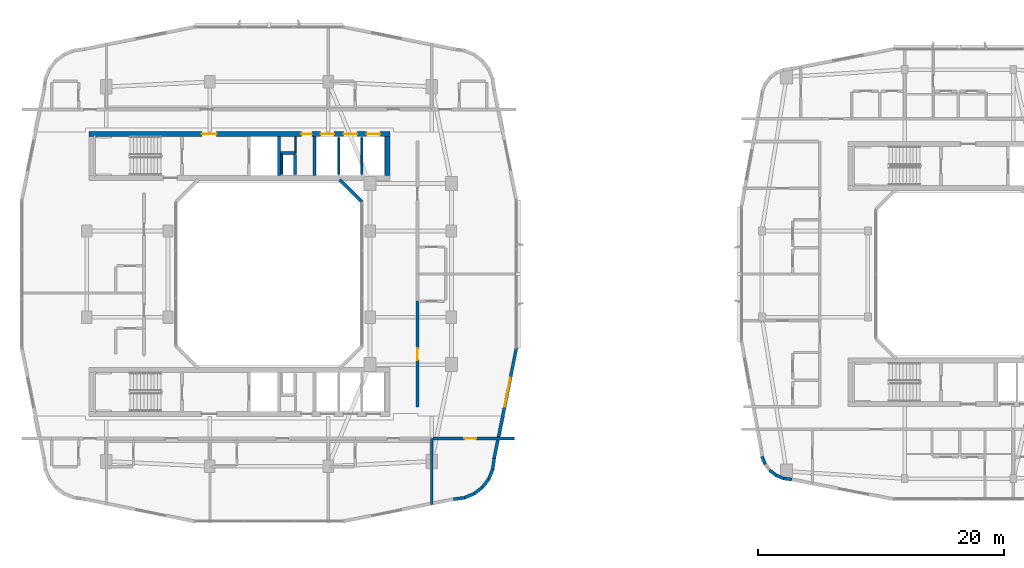
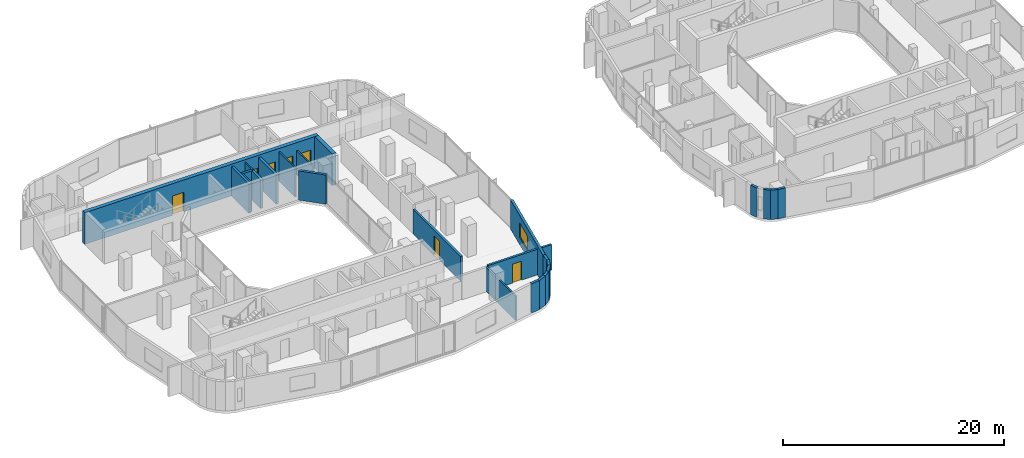
# One storey, part 14 of 26: 25 walls, 7 doors, 1 window, 8 openings.
"""IFC4 building model written with IfcOpenShell, lengths in metres."""

from ifc_helpers import new_model, si_unit, derived_unit, direction, frame, frame_2d, origin, place, context, subcontext, project, spatial, rectangle, extrude, material, layer, layer_set, type_object, element, fill, save


model = new_model("IFC4")

# Units and contexts
model_context = context("Model", 3, precision=1e-05, world=origin(), true_north=direction((0.0, 1.0)))
body_context = subcontext(model_context, "Body", "Model", "MODEL_VIEW")
ifc_project = project(units=[si_unit("LENGTHUNIT", "METRE"), si_unit("AREAUNIT", "SQUARE_METRE"), si_unit("VOLUMEUNIT", "CUBIC_METRE"), si_unit("PLANEANGLEUNIT", "RADIAN"), si_unit("MASSUNIT", "GRAM", prefix="KILO"), derived_unit("THERMALTRANSMITTANCEUNIT", [(si_unit("POWERUNIT", "WATT"), 1), (si_unit("LENGTHUNIT", "METRE"), -2), (si_unit("THERMODYNAMICTEMPERATUREUNIT", "KELVIN"), -1)])], contexts=[model_context])

# Site, building, storey
site_placement = place(None, origin())
site = spatial("IfcSite", under=ifc_project, at=site_placement, CompositionType="ELEMENT")
building_placement = place(site_placement, origin())
building = spatial("IfcBuilding", under=site, at=building_placement, Name="Kivonza Crest Hotel", CompositionType="ELEMENT")
storey_placement = place(building_placement, frame((0.0, 0.0, 127.5)))
storey = spatial("IfcBuildingStorey", under=building, at=storey_placement, Name="L34", CompositionType="ELEMENT", Elevation=127.5)

# Wall
ifc_material_1 = material(Name="High-density acoustic masonry inter-tenancy wall", Category="masonry")
ifc_layer_1 = layer(ifc_material_1, 0.179931640625)
ifc_layer_set_1 = layer_set([ifc_layer_1], Name="High-density acoustic masonry inter-tenancy wall")
wall_type_1 = type_object("IfcWallType", Name="WL-ACOU-180", PredefinedType="SOLIDWALL", material=ifc_layer_set_1)
wall_1_placement = place(storey_placement, frame((34.199951171875, 6.299072265625, 0.0), z_axis=(0.0, 0.0, 1.0), x_axis=(0.0, 1.0, 0.0)))
element("IfcWall", 1, at=wall_1_placement, inside=storey, type_object=wall_type_1, Name="L34 interior partition WA-L34-T1S-DIV4", PredefinedType="SOLIDWALL", context=body_context, shape_type="SweptSolid", body=[
    extrude(rectangle(XDim=5.350830078125, YDim=0.179931640625, at=frame_2d((2.67529296875, 0.0))), origin(), (0.0, 0.0, 1.0), 2.695068359375),
])

# Wall, opening, door
ifc_material_2 = material(Name="Autoclaved aerated concrete blockwork", Category="masonry")
ifc_layer_2 = layer(ifc_material_2, 0.219970703125)
ifc_layer_set_2 = layer_set([ifc_layer_2], Name="Autoclaved aerated concrete blockwork")
wall_type_2 = type_object("IfcWallType", Name="WL-ACOU-220", PredefinedType="SOLIDWALL", material=ifc_layer_set_2)
wall_2_placement = place(storey_placement, frame((34.300048828125, 11.64990234375, 0.0), z_axis=(0.0, 0.0, 1.0), x_axis=(1.0, 0.0, 0.0)))
wall_2 = element("IfcWall", 2, at=wall_2_placement, inside=storey, type_object=wall_type_2, Name="L34 interior partition WA-L34-BUS-MTG-N", PredefinedType="SOLIDWALL", context=body_context, shape_type="SweptSolid", body=[
    extrude(rectangle(XDim=6.639892578125, YDim=0.219970703125, at=frame_2d((3.31982421875, 0.0))), origin(), (0.0, 0.0, 1.0), 2.8349609375),
])
opening_1_placement = place(wall_2_placement, frame((2.550048828125, 0.0, 0.0)))
opening_1 = element("IfcOpeningElement", 3, at=opening_1_placement, cuts=wall_2, Name="Opening DF-60S", PredefinedType="OPENING", context=body_context, shape_type="SweptSolid", body=[
    extrude(rectangle(XDim=0.949951171875, YDim=2.10009765625, at=frame_2d((0.47509765625, 1.050048828125))), frame((0.0, 0.1201171875, 0.0), z_axis=(0.0, -1.0, 0.0), x_axis=(1.0, 0.0, 0.0)), (0.0, 0.0, 1.0), 0.239990234375),
])
ifc_material_3 = material(Name="Hardwood timber oak", Category="wood")
door_type_1 = type_object("IfcDoorType", Name="DR-FD60-950", OperationType="NOTDEFINED", PredefinedType="DOOR", material=ifc_material_3)
door_1_placement = place(opening_1_placement, frame((0.949951171875, 0.0, 0.0), z_axis=(0.0, 0.0, 1.0), x_axis=(-1.0, 0.0, 0.0)))
door_1 = element("IfcDoor", 4, at=door_1_placement, inside=storey, type_object=door_type_1, Name="L34 Floor Beverage Kitchen door", OperationType="SINGLE_SWING_RIGHT", OverallHeight=2.10009765625, OverallWidth=0.949951171875, PredefinedType="DOOR", context=body_context, shape_type="SweptSolid", body=[
    extrude(rectangle(XDim=0.949951171875, YDim=2.10009765625, at=frame_2d((0.47509765625, 1.050048828125))), frame((0.0, 0.02490234375, 0.0), z_axis=(0.0, -1.0, 0.0), x_axis=(1.0, 0.0, 0.0)), (0.0, 0.0, 1.0), 0.050048828125),
])
fill(opening_1, door_1)

wall_3_placement = place(storey_placement, frame((33.050048828125, 14.199951171875, 0.0), z_axis=(0.0, 0.0, 1.0), x_axis=(0.0, 1.0, 0.0)))
wall_3 = element("IfcWall", 5, at=wall_3_placement, inside=storey, type_object=wall_type_2, Name="L34 interior partition WA-L34-E10-MCORR", PredefinedType="SOLIDWALL", context=body_context, shape_type="SweptSolid", body=[
    extrude(rectangle(XDim=8.60009765625, YDim=0.219970703125, at=frame_2d((4.300048828125, 0.0))), origin(), (0.0, 0.0, 1.0), 2.695068359375),
])
opening_2_placement = place(wall_3_placement, frame((3.824951171875, 0.0, 0.0)))
opening_2 = element("IfcOpeningElement", 6, at=opening_2_placement, cuts=wall_3, Name="Opening DU-60", PredefinedType="OPENING", context=body_context, shape_type="SweptSolid", body=[
    extrude(rectangle(XDim=0.949951171875, YDim=2.10009765625, at=frame_2d((0.47509765625, 1.050048828125))), frame((0.0, 0.1201171875, 0.0), z_axis=(0.0, -1.0, 0.0), x_axis=(1.0, 0.0, 0.0)), (0.0, 0.0, 1.0), 0.239990234375),
])
door_type_2 = type_object("IfcDoorType", Name="DR-UNIT-950", OperationType="NOTDEFINED", PredefinedType="DOOR", material=ifc_material_3)
door_2_placement = place(opening_2_placement, frame((0.949951171875, 0.0, 0.0), z_axis=(0.0, 0.0, 1.0), x_axis=(-1.0, 0.0, 0.0)))
door_2 = element("IfcDoor", 7, at=door_2_placement, inside=storey, type_object=door_type_2, Name="L34 E10 guest unit entrance fire door", OperationType="SINGLE_SWING_RIGHT", OverallHeight=2.10009765625, OverallWidth=0.949951171875, PredefinedType="DOOR", context=body_context, shape_type="SweptSolid", body=[
    extrude(rectangle(XDim=0.949951171875, YDim=2.10009765625, at=frame_2d((0.47509765625, 1.050048828125))), frame((0.0, 0.02490234375, 0.0), z_axis=(0.0, -1.0, 0.0), x_axis=(1.0, 0.0, 0.0)), (0.0, 0.0, 1.0), 0.050048828125),
])
fill(opening_2, door_2)

# Wall, openings, doors
ifc_material_4 = material(Name="Concrete C50/60", Category="concrete")
ifc_layer_3 = layer(ifc_material_4, 0.39990234375)
ifc_layer_set_3 = layer_set([ifc_layer_3], Name="Concrete C50/60")
wall_type_3 = type_object("IfcWallType", Name="WL-CORE-400", PredefinedType="SHEAR", material=ifc_layer_set_3)
wall_4_placement = place(storey_placement, frame((6.39990234375, 36.360107421875, 0.0), z_axis=(0.0, 0.0, 1.0), x_axis=(1.0, 0.0, 0.0)))
wall_4 = element("IfcWall", 8, at=wall_4_placement, inside=storey, type_object=wall_type_3, Name="Core wall T1-N North L34", PredefinedType="SHEAR", context=body_context, shape_type="SweptSolid", body=[
    extrude(rectangle(XDim=24.400146484375, YDim=0.39990234375, at=frame_2d((12.2001953125, 0.0))), origin(), (0.0, 0.0, 1.0), 3.5),
])
opening_3_placement = place(wall_4_placement, frame((9.14990234375, 0.0, 0.0)))
opening_3 = element("IfcOpeningElement", 9, at=opening_3_placement, cuts=wall_4, Name="Opening DF-60", PredefinedType="OPENING", context=body_context, shape_type="SweptSolid", body=[
    extrude(rectangle(XDim=1.199951171875, YDim=2.14990234375, at=frame_2d((0.60009765625, 1.074951171875))), frame((0.0, 0.2099609375, 0.0), z_axis=(0.0, -1.0, 0.0), x_axis=(1.0, 0.0, 0.0)), (0.0, 0.0, 1.0), 0.419921875),
])
opening_4_placement = place(wall_4_placement, frame((17.219970703125, 0.0, 0.0)))
opening_4 = element("IfcOpeningElement", 10, at=opening_4_placement, cuts=wall_4, Name="Opening DF-60R", PredefinedType="OPENING", context=body_context, shape_type="SweptSolid", body=[
    extrude(rectangle(XDim=0.85009765625, YDim=2.10009765625, at=frame_2d((0.425048828125, 1.050048828125))), frame((0.0, 0.2099609375, 0.0), z_axis=(0.0, -1.0, 0.0), x_axis=(1.0, 0.0, 0.0)), (0.0, 0.0, 1.0), 0.419921875),
])
opening_5_placement = place(wall_4_placement, frame((18.782958984375, 0.0, 0.0)))
opening_5 = element("IfcOpeningElement", 11, at=opening_5_placement, cuts=wall_4, Name="Opening LD-120", PredefinedType="OPENING", context=body_context, shape_type="SweptSolid", body=[
    extrude(rectangle(XDim=1.10009765625, YDim=2.14990234375, at=frame_2d((0.550048828125, 1.074951171875))), frame((0.0, 0.2099609375, 0.0), z_axis=(0.0, -1.0, 0.0), x_axis=(1.0, 0.0, 0.0)), (0.0, 0.0, 1.0), 0.419921875),
])
opening_6_placement = place(wall_4_placement, frame((20.64990234375, 0.0, 0.0)))
opening_6 = element("IfcOpeningElement", 12, at=opening_6_placement, cuts=wall_4, Name="Opening LD-120", PredefinedType="OPENING", context=body_context, shape_type="SweptSolid", body=[
    extrude(rectangle(XDim=1.10009765625, YDim=2.14990234375, at=frame_2d((0.550048828125, 1.074951171875))), frame((0.0, 0.2099609375, 0.0), z_axis=(0.0, -1.0, 0.0), x_axis=(1.0, 0.0, 0.0)), (0.0, 0.0, 1.0), 0.419921875),
])
opening_7_placement = place(wall_4_placement, frame((22.51708984375, 0.0, 0.0)))
opening_7 = element("IfcOpeningElement", 13, at=opening_7_placement, cuts=wall_4, Name="Opening LD-120", PredefinedType="OPENING", context=body_context, shape_type="SweptSolid", body=[
    extrude(rectangle(XDim=1.10009765625, YDim=2.14990234375, at=frame_2d((0.550048828125, 1.074951171875))), frame((0.0, 0.2099609375, 0.0), z_axis=(0.0, -1.0, 0.0), x_axis=(1.0, 0.0, 0.0)), (0.0, 0.0, 1.0), 0.419921875),
])
door_type_3 = type_object("IfcDoorType", Name="DR-FD60-1200", OperationType="NOTDEFINED", PredefinedType="DOOR", material=ifc_material_3)
door_3_placement = place(opening_3_placement, origin())
door_3 = element("IfcDoor", 14, at=door_3_placement, inside=storey, type_object=door_type_3, Name="L34 T1-N firefighting lobby fire door", OperationType="SINGLE_SWING_RIGHT", OverallHeight=2.14990234375, OverallWidth=1.199951171875, PredefinedType="DOOR", context=body_context, shape_type="SweptSolid", body=[
    extrude(rectangle(XDim=1.199951171875, YDim=2.14990234375, at=frame_2d((0.60009765625, 1.074951171875))), frame((0.0, 0.02490234375, 0.0), z_axis=(0.0, -1.0, 0.0), x_axis=(1.0, 0.0, 0.0)), (0.0, 0.0, 1.0), 0.050048828125),
])
fill(opening_3, door_3)
door_type_4 = type_object("IfcDoorType", Name="DR-FD60-850", OperationType="NOTDEFINED", PredefinedType="DOOR", material=ifc_material_3)
door_4_placement = place(opening_4_placement, origin())
door_4 = element("IfcDoor", 15, at=door_4_placement, inside=storey, type_object=door_type_4, Name="L34 T1-N core room door", OperationType="SINGLE_SWING_RIGHT", OverallHeight=2.10009765625, OverallWidth=0.85009765625, PredefinedType="DOOR", context=body_context, shape_type="SweptSolid", body=[
    extrude(rectangle(XDim=0.85009765625, YDim=2.10009765625, at=frame_2d((0.425048828125, 1.050048828125))), frame((0.0, 0.02490234375, 0.0), z_axis=(0.0, -1.0, 0.0), x_axis=(1.0, 0.0, 0.0)), (0.0, 0.0, 1.0), 0.050048828125),
])
fill(opening_4, door_4)
ifc_material_5 = material(Name="Stainless steel", Category="steel")
door_type_5 = type_object("IfcDoorType", Name="DR-LD120-1100", OperationType="NOTDEFINED", PredefinedType="DOOR", material=ifc_material_5)
door_5_placement = place(opening_5_placement, origin())
door_5 = element("IfcDoor", 16, at=door_5_placement, inside=storey, type_object=door_type_5, Name="L34 PL-T1-L1 passenger lift sliding landing door", OperationType="DOUBLE_DOOR_SLIDING", OverallHeight=2.14990234375, OverallWidth=1.10009765625, PredefinedType="DOOR", context=body_context, shape_type="SweptSolid", body=[
    extrude(rectangle(XDim=1.10009765625, YDim=2.14990234375, at=frame_2d((0.550048828125, 1.074951171875))), frame((0.0, 0.02490234375, 0.0), z_axis=(0.0, -1.0, 0.0), x_axis=(1.0, 0.0, 0.0)), (0.0, 0.0, 1.0), 0.050048828125),
])
fill(opening_5, door_5)
door_6_placement = place(opening_6_placement, origin())
door_6 = element("IfcDoor", 17, at=door_6_placement, inside=storey, type_object=door_type_5, Name="L34 PL-T1-L2 passenger lift sliding landing door", OperationType="DOUBLE_DOOR_SLIDING", OverallHeight=2.14990234375, OverallWidth=1.10009765625, PredefinedType="DOOR", context=body_context, shape_type="SweptSolid", body=[
    extrude(rectangle(XDim=1.10009765625, YDim=2.14990234375, at=frame_2d((0.550048828125, 1.074951171875))), frame((0.0, 0.02490234375, 0.0), z_axis=(0.0, -1.0, 0.0), x_axis=(1.0, 0.0, 0.0)), (0.0, 0.0, 1.0), 0.050048828125),
])
fill(opening_6, door_6)
door_7_placement = place(opening_7_placement, origin())
door_7 = element("IfcDoor", 18, at=door_7_placement, inside=storey, type_object=door_type_5, Name="L34 PL-T1-L3 passenger lift sliding landing door", OperationType="DOUBLE_DOOR_SLIDING", OverallHeight=2.14990234375, OverallWidth=1.10009765625, PredefinedType="DOOR", context=body_context, shape_type="SweptSolid", body=[
    extrude(rectangle(XDim=1.10009765625, YDim=2.14990234375, at=frame_2d((0.550048828125, 1.074951171875))), frame((0.0, 0.02490234375, 0.0), z_axis=(0.0, -1.0, 0.0), x_axis=(1.0, 0.0, 0.0)), (0.0, 0.0, 1.0), 0.050048828125),
])
fill(opening_7, door_7)

# Walls
wall_5_placement = place(storey_placement, frame((30.60009765625, 33.0, 0.0), z_axis=(0.0, 0.0, 1.0), x_axis=(0.0, 1.0, 0.0)))
element("IfcWall", 19, at=wall_5_placement, inside=storey, type_object=wall_type_3, Name="Core wall T1-N East L34", PredefinedType="SHEAR", context=body_context, shape_type="SweptSolid", body=[
    extrude(rectangle(XDim=3.159912109375, YDim=0.39990234375, at=frame_2d((1.580078125, 0.0))), origin(), (0.0, 0.0, 1.0), 3.5),
])
ifc_material_6 = material(Name="Precast concrete C40/50", Category="concrete")
ifc_layer_4 = layer(ifc_material_6, 0.260009765625)
ifc_layer_set_4 = layer_set([ifc_layer_4], Name="Precast concrete C40/50")
wall_type_4 = type_object("IfcWallType", Name="WL-EXT-260", PredefinedType="STANDARD", material=ifc_layer_set_4)
wall_6_placement = place(storey_placement, frame((35.97509765625, 6.72802734375, 0.0), z_axis=(0.0, 0.0, 1.0), x_axis=(0.991388484223, 0.130953706898, 0.0)))
element("IfcWall", 20, at=wall_6_placement, inside=storey, type_object=wall_type_4, Name="L34 T1 exterior insulated wall 10", PredefinedType="STANDARD", context=body_context, shape_type="SweptSolid", body=[
    extrude(rectangle(XDim=0.885498046875, YDim=0.260009765625, at=frame_2d((0.44287109375, 0.0))), origin(), (0.0, 0.0, 1.0), 3.219970703125),
])
wall_7_placement = place(storey_placement, frame((36.806884765625, 6.825927734375, 0.0), z_axis=(0.0, 0.0, 1.0), x_axis=(0.923627776508, 0.383290660547, 0.0)))
element("IfcWall", 21, at=wall_7_placement, inside=storey, type_object=wall_type_4, Name="L34 T1 exterior insulated wall 11", PredefinedType="STANDARD", context=body_context, shape_type="SweptSolid", body=[
    extrude(rectangle(XDim=0.9033203125, YDim=0.260009765625, at=frame_2d((0.45166015625, 0.0))), origin(), (0.0, 0.0, 1.0), 3.219970703125),
])
wall_8_placement = place(storey_placement, frame((37.60107421875, 7.14404296875, 0.0), z_axis=(0.0, 0.0, 1.0), x_axis=(0.793458244748, 0.608624690463, 0.0)))
element("IfcWall", 22, at=wall_8_placement, inside=storey, type_object=wall_type_4, Name="L34 T1 exterior insulated wall 12", PredefinedType="STANDARD", context=body_context, shape_type="SweptSolid", body=[
    extrude(rectangle(XDim=0.902099609375, YDim=0.260009765625, at=frame_2d((0.451171875, 0.0))), origin(), (0.0, 0.0, 1.0), 3.219970703125),
])
wall_9_placement = place(storey_placement, frame((38.285888671875, 7.655029296875, 0.0), z_axis=(0.0, 0.0, 1.0), x_axis=(0.608494022858, 0.793558456666, 0.0)))
element("IfcWall", 23, at=wall_9_placement, inside=storey, type_object=wall_type_4, Name="L34 T1 exterior insulated wall 13", PredefinedType="STANDARD", context=body_context, shape_type="SweptSolid", body=[
    extrude(rectangle(XDim=0.90234375, YDim=0.260009765625, at=frame_2d((0.451171875, 0.0))), origin(), (0.0, 0.0, 1.0), 3.219970703125),
])
wall_10_placement = place(storey_placement, frame((38.81396484375, 8.326904296875, 0.0), z_axis=(0.0, 0.0, 1.0), x_axis=(0.383155708213, 0.923683767999, 0.0)))
element("IfcWall", 24, at=wall_10_placement, inside=storey, type_object=wall_type_4, Name="L34 T1 exterior insulated wall 14", PredefinedType="STANDARD", context=body_context, shape_type="SweptSolid", body=[
    extrude(rectangle(XDim=0.90283203125, YDim=0.260009765625, at=frame_2d((0.451416015625, 0.0))), origin(), (0.0, 0.0, 1.0), 3.219970703125),
])
wall_11_placement = place(storey_placement, frame((39.152099609375, 9.112060546875, 0.0), z_axis=(0.0, 0.0, 1.0), x_axis=(0.130200706103, 0.991487658083, 0.0)))
element("IfcWall", 25, at=wall_11_placement, inside=storey, type_object=wall_type_4, Name="L34 T1 exterior insulated wall 15", PredefinedType="STANDARD", context=body_context, shape_type="SweptSolid", body=[
    extrude(rectangle(XDim=0.920654296875, YDim=0.260009765625, at=frame_2d((0.46044921875, 0.0))), origin(), (0.0, 0.0, 1.0), 3.219970703125),
])

# Wall, opening, window
wall_12_placement = place(storey_placement, frame((39.27099609375, 10.01806640625, 0.0), z_axis=(0.0, 0.0, 1.0), x_axis=(0.197435082048, 0.980315963543, 0.0)))
wall_12 = element("IfcWall", 26, at=wall_12_placement, inside=storey, type_object=wall_type_4, Name="L34 T1 exterior insulated wall 16", PredefinedType="STANDARD", context=body_context, shape_type="SweptSolid", body=[
    extrude(rectangle(XDim=9.1826171875, YDim=0.260009765625, at=frame_2d((4.59130859375, 0.0))), origin(), (0.0, 0.0, 1.0), 3.219970703125),
])
opening_8_placement = place(wall_12_placement, frame((4.285888671875, 0.0, 0.800048828125)))
opening_8 = element("IfcOpeningElement", 27, at=opening_8_placement, cuts=wall_12, Name="Opening WN-05", PredefinedType="OPENING", context=body_context, shape_type="SweptSolid", body=[
    extrude(rectangle(XDim=2.39990234375, YDim=1.60009765625, at=frame_2d((1.199951171875, 0.800048828125))), frame((0.0, 0.14013671875, 0.0), z_axis=(0.0, -1.0, 0.0), x_axis=(1.0, 0.0, 0.0)), (0.0, 0.0, 1.0), 0.280029296875),
])
ifc_material_7 = material(Name="Thermally broken bronze aluminium and low-E double glazing", Category="aluminium")
window_type = type_object("IfcWindowType", Name="WN-240x160", PartitioningType="TRIPLE_PANEL_VERTICAL", PredefinedType="WINDOW", material=ifc_material_7)
window_placement = place(opening_8_placement, origin())
window = element("IfcWindow", 28, at=window_placement, inside=storey, type_object=window_type, Name="L34 T1 facade window 16", OverallHeight=1.60009765625, OverallWidth=2.39990234375, PartitioningType="SINGLE_PANEL", PredefinedType="WINDOW", context=body_context, shape_type="SweptSolid", body=[
    extrude(rectangle(XDim=2.39990234375, YDim=1.60009765625, at=frame_2d((1.199951171875, 0.800048828125))), frame((0.0, 0.030029296875, 0.0), z_axis=(0.0, -1.0, 0.0), x_axis=(1.0, 0.0, 0.0)), (0.0, 0.0, 1.0), 0.06005859375),
])
fill(opening_8, window)

# Walls
wall_13_placement = place(storey_placement, frame((28.555908203125, 30.827880859375, 0.0), z_axis=(0.0, 0.0, 1.0), x_axis=(-0.707059717605, 0.707153841636, 0.0)))
element("IfcWall", 29, at=wall_13_placement, inside=storey, type_object=wall_type_4, Name="L34 T1 light-well exterior wall 4", PredefinedType="STANDARD", context=body_context, shape_type="SweptSolid", body=[
    extrude(rectangle(XDim=2.59375, YDim=0.260009765625, at=frame_2d((1.296875, 0.0))), origin(), (0.0, 0.0, 1.0), 3.219970703125),
])
wall_14_placement = place(storey_placement, frame((60.9990234375, 10.199951171875, 0.0), z_axis=(0.0, 0.0, 1.0), x_axis=(0.381988976935, -0.924166879681, 0.0)))
element("IfcWall", 30, at=wall_14_placement, inside=storey, type_object=wall_type_4, Name="L34 T2 exterior insulated wall 2", PredefinedType="STANDARD", context=body_context, shape_type="SweptSolid", body=[
    extrude(rectangle(XDim=0.693359375, YDim=0.260009765625, at=frame_2d((0.3466796875, 0.0))), origin(), (0.0, 0.0, 1.0), 3.25),
])
wall_15_placement = place(storey_placement, frame((61.62109375, 9.080078125, 0.0), z_axis=(0.0, 0.0, 1.0), x_axis=(0.792506234191, -0.609863811657, 0.0)))
element("IfcWall", 31, at=wall_15_placement, inside=storey, type_object=wall_type_4, Name="L34 T2 exterior insulated wall 4", PredefinedType="STANDARD", context=body_context, shape_type="SweptSolid", body=[
    extrude(rectangle(XDim=0.69384765625, YDim=0.260009765625, at=frame_2d((0.346923828125, 0.0))), origin(), (0.0, 0.0, 1.0), 3.25),
])
wall_16_placement = place(storey_placement, frame((62.126953125, 8.677978515625, 0.0), z_axis=(0.0, 0.0, 1.0), x_axis=(0.92421822618, -0.381864727877, 0.0)))
element("IfcWall", 32, at=wall_16_placement, inside=storey, type_object=wall_type_4, Name="L34 T2 exterior insulated wall 5", PredefinedType="STANDARD", context=body_context, shape_type="SweptSolid", body=[
    extrude(rectangle(XDim=0.693603515625, YDim=0.260009765625, at=frame_2d((0.3466796875, 0.0))), origin(), (0.0, 0.0, 1.0), 3.25),
])
wall_17_placement = place(storey_placement, frame((62.718994140625, 8.4208984375, 0.0), z_axis=(0.0, 0.0, 1.0), x_axis=(0.991433279471, -0.130614135366, 0.0)))
element("IfcWall", 33, at=wall_17_placement, inside=storey, type_object=wall_type_4, Name="L34 T2 exterior insulated wall 6", PredefinedType="STANDARD", context=body_context, shape_type="SweptSolid", body=[
    extrude(rectangle(XDim=0.712158203125, YDim=0.260009765625, at=frame_2d((0.35595703125, 0.0))), origin(), (0.0, 0.0, 1.0), 3.25),
])
ifc_material_8 = material(Name="Concrete blockwork fire-compartment wall", Category="masonry")
ifc_layer_5 = layer(ifc_material_8, 0.25)
ifc_layer_set_5 = layer_set([ifc_layer_5], Name="Concrete blockwork fire-compartment wall")
wall_type_5 = type_object("IfcWallType", Name="WL-FIRE-250", PredefinedType="SOLIDWALL", material=ifc_layer_set_5)
wall_18_placement = place(storey_placement, frame((23.10009765625, 33.10009765625, 0.0), z_axis=(0.0, 0.0, 1.0), x_axis=(0.0, 1.0, 0.0)))
element("IfcWall", 34, at=wall_18_placement, inside=storey, type_object=wall_type_5, Name="L34 interior partition WA-L34-T1-N-MEPR-E", PredefinedType="SOLIDWALL", context=body_context, shape_type="SweptSolid", body=[
    extrude(rectangle(XDim=1.619873046875, YDim=0.25, at=frame_2d((0.81005859375, 0.0))), origin(), (0.0, 0.0, 1.0), 3.219970703125),
])
wall_19_placement = place(storey_placement, frame((21.949951171875, 34.820068359375, 0.0), z_axis=(0.0, 0.0, 1.0), x_axis=(1.0, 0.0, 0.0)))
element("IfcWall", 35, at=wall_19_placement, inside=storey, type_object=wall_type_5, Name="L34 interior partition WA-L34-T1-N-MEPR-H", PredefinedType="SOLIDWALL", context=body_context, shape_type="SweptSolid", body=[
    extrude(rectangle(XDim=1.150146484375, YDim=0.25, at=frame_2d((0.5751953125, 0.0))), origin(), (0.0, 0.0, 1.0), 3.219970703125),
])
ifc_material_9 = material(Name="Metal-stud gypsum board partition", Category="gypsum")
ifc_layer_6 = layer(ifc_material_9, 0.125)
ifc_layer_set_6 = layer_set([ifc_layer_6], Name="Metal-stud gypsum board partition")
wall_type_6 = type_object("IfcWallType", Name="WL-PART-125", PredefinedType="PARTITIONING", material=ifc_layer_set_6)
wall_20_placement = place(storey_placement, frame((23.159912109375, 34.820068359375, 0.0), z_axis=(0.0, 0.0, 1.0), x_axis=(0.0, 1.0, 0.0)))
element("IfcWall", 36, at=wall_20_placement, inside=storey, type_object=wall_type_6, Name="L34 interior partition WP-L34-T1-N-SV1V", PredefinedType="PARTITIONING", context=body_context, shape_type="SweptSolid", body=[
    extrude(rectangle(XDim=1.33984375, YDim=0.125, at=frame_2d((0.669921875, 0.0))), origin(), (0.0, 0.0, 1.0), 3.219970703125),
])
ifc_material_10 = material(Name="Twin-stud acoustic gypsum board partition", Category="gypsum")
ifc_layer_7 = layer(ifc_material_10, 0.14990234375)
ifc_layer_set_7 = layer_set([ifc_layer_7], Name="Twin-stud acoustic gypsum board partition")
wall_type_7 = type_object("IfcWallType", Name="WL-PART-150", PredefinedType="PARTITIONING", material=ifc_layer_set_7)
wall_21_placement = place(storey_placement, frame((22.030029296875, 33.10009765625, 0.0), z_axis=(0.0, 0.0, 1.0), x_axis=(0.0, 1.0, 0.0)))
element("IfcWall", 37, at=wall_21_placement, inside=storey, type_object=wall_type_7, Name="L34 interior partition WA-L34-T1-N-MEPR-W", PredefinedType="PARTITIONING", context=body_context, shape_type="SweptSolid", body=[
    extrude(rectangle(XDim=1.619873046875, YDim=0.14990234375, at=frame_2d((0.81005859375, 0.0))), origin(), (0.0, 0.0, 1.0), 3.219970703125),
])
wall_22_placement = place(storey_placement, frame((26.6669921875, 33.10009765625, 0.0), z_axis=(0.0, 0.0, 1.0), x_axis=(0.0, 1.0, 0.0)))
element("IfcWall", 38, at=wall_22_placement, inside=storey, type_object=wall_type_7, Name="L34 interior partition WP-L34-T1-N-BSH-1", PredefinedType="PARTITIONING", context=body_context, shape_type="SweptSolid", body=[
    extrude(rectangle(XDim=2.9599609375, YDim=0.14990234375, at=frame_2d((1.47998046875, 0.0))), origin(), (0.0, 0.0, 1.0), 3.219970703125),
])
wall_23_placement = place(storey_placement, frame((28.532958984375, 33.10009765625, 0.0), z_axis=(0.0, 0.0, 1.0), x_axis=(0.0, 1.0, 0.0)))
element("IfcWall", 39, at=wall_23_placement, inside=storey, type_object=wall_type_7, Name="L34 interior partition WP-L34-T1-N-BSH-2", PredefinedType="PARTITIONING", context=body_context, shape_type="SweptSolid", body=[
    extrude(rectangle(XDim=2.9599609375, YDim=0.14990234375, at=frame_2d((1.47998046875, 0.0))), origin(), (0.0, 0.0, 1.0), 2.695068359375),
])
ifc_layer_8 = layer(ifc_material_4, 0.25)
ifc_layer_set_8 = layer_set([ifc_layer_8], Name="Concrete C50/60")
wall_type_8 = type_object("IfcWallType", Name="WL-SHAFT-250", PredefinedType="STANDARD", material=ifc_layer_set_8)
for number, where, z_axis, x_axis, name in (
    (40, (21.824951171875, 33.0, 0.0), (0.0, 0.0, 1.0), (0.0, 1.0, 0.0), "Core shaft wall T1-N FFL-E L34"),
    (41, (24.675048828125, 33.0, 0.0), (0.0, 0.0, 1.0), (0.0, 1.0, 0.0), "Core shaft wall T1-N BANK-W L34"),
):
    element("IfcWall", number, at=place(storey_placement, frame(where, z_axis=z_axis, x_axis=x_axis)), inside=storey, type_object=wall_type_8, Name=name, PredefinedType="STANDARD", context=body_context, shape_type="SweptSolid", body=[
        extrude(rectangle(XDim=3.159912109375, YDim=0.25, at=frame_2d((1.580078125, 0.0))), origin(), (0.0, 0.0, 1.0), 3.219970703125),
    ])

save(model, "model.ifc")
